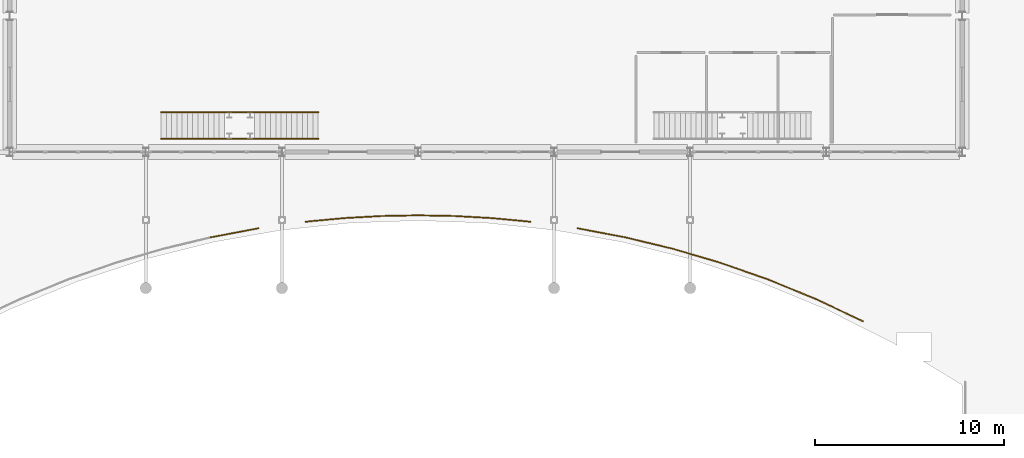
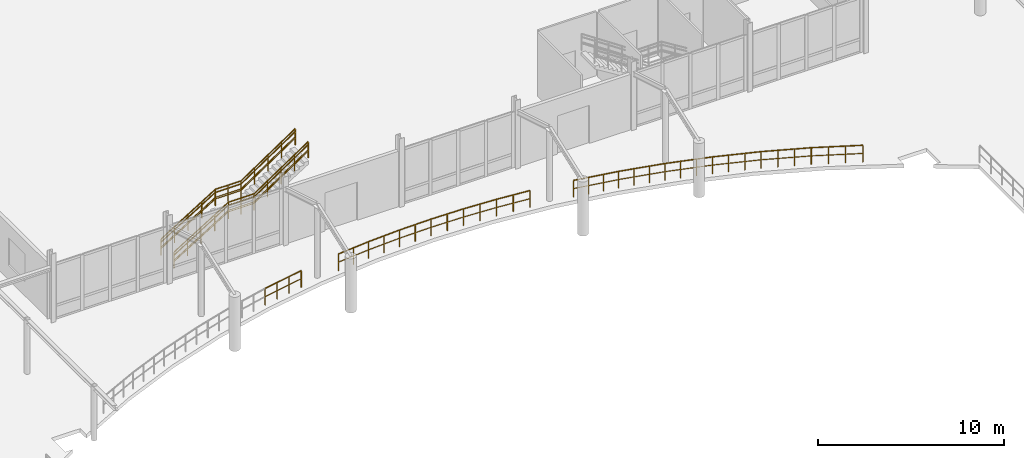
# One storey, part 132 of 139: 25 railings.
"""IFC4 building model written with IfcOpenShell, lengths in metres."""

from ifc_helpers import new_model, si_unit, direction, frame, origin, origin_2d, place, context, subcontext, project, spatial, rectangle, extrude, material, type_object, element, save


model = new_model("IFC4")

# Units and contexts
model_context = context("Model", 3, precision=1e-05, world=origin(), true_north=direction((0.0, 1.0)))
body_context = subcontext(model_context, "Body", "Model", "MODEL_VIEW")
ifc_project = project(units=[si_unit("LENGTHUNIT", "METRE"), si_unit("AREAUNIT", "SQUARE_METRE"), si_unit("VOLUMEUNIT", "CUBIC_METRE"), si_unit("PLANEANGLEUNIT", "RADIAN"), si_unit("MASSUNIT", "GRAM", prefix="KILO")], contexts=[model_context])

# Site, building, storey
site_placement = place(None, origin())
site = spatial("IfcSite", under=ifc_project, at=site_placement, CompositionType="ELEMENT")
building_placement = place(site_placement, origin())
building = spatial("IfcBuilding", under=site, at=building_placement, Name="Suanplinth Sawtooth Commons", CompositionType="ELEMENT")
storey_placement = place(building_placement, origin())
storey = spatial("IfcBuildingStorey", under=building, at=storey_placement, Name="L00", CompositionType="ELEMENT", Elevation=0.0)

# Railings
ifc_material_1 = material(Name="Powder-coated galvanized steel", Category="steel")
railing_type_1 = type_object("IfcRailingType", Name="GR-02", PredefinedType="BALUSTRADE", material=ifc_material_1)
railing_1_placement = place(storey_placement, frame((75.433349609375, 45.885986328125, 0.0)))
element("IfcRailing", 1, at=railing_1_placement, inside=storey, type_object=railing_type_1, Name="Forecourt Swept Rim Guardrail 1-6", PredefinedType="BALUSTRADE", context=body_context, shape_type="SweptSolid", body=[
    extrude(rectangle(XDim=0.048095703125, YDim=0.048095703125, at=origin_2d()), frame((0.0, 0.0, 1.09619140625), z_axis=(0.982555655663, 0.185968770295, 0.0), x_axis=(-0.185968770295, 0.982555655663, 0.0)), (0.0, 0.0, 1.0), 2.561279296875),
    extrude(rectangle(XDim=0.03369140625, YDim=0.03369140625, at=origin_2d()), frame((0.0, 0.0, 0.56005859375), z_axis=(0.982555655663, 0.185968770295, 0.0), x_axis=(-0.185968770295, 0.982555655663, 0.0)), (0.0, 0.0, 1.0), 2.561279296875),
    extrude(rectangle(XDim=0.0419921875, YDim=0.0419921875, at=origin_2d()), origin(), (0.0, 0.0, 1.0), 1.072021484375),
    extrude(rectangle(XDim=0.0419921875, YDim=0.0419921875, at=origin_2d()), frame((0.8388671875, 0.15869140625, 0.0)), (0.0, 0.0, 1.0), 1.072021484375),
    extrude(rectangle(XDim=0.0419921875, YDim=0.0419921875, at=origin_2d()), frame((1.677734375, 0.317626953125, 0.0)), (0.0, 0.0, 1.0), 1.072021484375),
    extrude(rectangle(XDim=0.0419921875, YDim=0.0419921875, at=origin_2d()), frame((2.5166015625, 0.476318359375, 0.0)), (0.0, 0.0, 1.0), 1.072021484375),
])
railing_2_placement = place(storey_placement, frame((80.449951171875, 46.710205078125, 0.0)))
element("IfcRailing", 2, at=railing_2_placement, inside=storey, type_object=railing_type_1, Name="Forecourt Swept Rim Guardrail 2-1", PredefinedType="BALUSTRADE", context=body_context, shape_type="SweptSolid", body=[
    extrude(rectangle(XDim=0.048095703125, YDim=0.048095703125, at=origin_2d()), frame((0.0, 0.0, 1.09619140625), z_axis=(0.995492167616, 0.094843788495, 0.0), x_axis=(-0.094843788495, 0.995492167616, 0.0)), (0.0, 0.0, 1.0), 1.992431640625),
    extrude(rectangle(XDim=0.03369140625, YDim=0.03369140625, at=origin_2d()), frame((0.0, 0.0, 0.56005859375), z_axis=(0.995492167616, 0.094843788495, 0.0), x_axis=(-0.094843788495, 0.995492167616, 0.0)), (0.0, 0.0, 1.0), 1.992431640625),
    extrude(rectangle(XDim=0.0419921875, YDim=0.0419921875, at=origin_2d()), origin(), (0.0, 0.0, 1.0), 1.072021484375),
    extrude(rectangle(XDim=0.0419921875, YDim=0.0419921875, at=origin_2d()), frame((0.99169921875, 0.094482421875, 0.0)), (0.0, 0.0, 1.0), 1.072021484375),
    extrude(rectangle(XDim=0.0419921875, YDim=0.0419921875, at=origin_2d()), frame((1.9833984375, 0.18896484375, 0.0)), (0.0, 0.0, 1.0), 1.072021484375),
])
railing_3_placement = place(storey_placement, frame((82.433349609375, 46.899169921875, 0.0)))
element("IfcRailing", 3, at=railing_3_placement, inside=storey, type_object=railing_type_1, Name="Forecourt Swept Rim Guardrail 2-2", PredefinedType="BALUSTRADE", context=body_context, shape_type="SweptSolid", body=[
    extrude(rectangle(XDim=0.048095703125, YDim=0.048095703125, at=origin_2d()), frame((0.0, 0.0, 1.09619140625), z_axis=(0.998379922568, 0.056899298886, 0.0), x_axis=(-0.056899298886, 0.998379922568, 0.0)), (0.0, 0.0, 1.0), 1.986572265625),
    extrude(rectangle(XDim=0.03369140625, YDim=0.03369140625, at=origin_2d()), frame((0.0, 0.0, 0.56005859375), z_axis=(0.998379922568, 0.056899298886, 0.0), x_axis=(-0.056899298886, 0.998379922568, 0.0)), (0.0, 0.0, 1.0), 1.986572265625),
    extrude(rectangle(XDim=0.0419921875, YDim=0.0419921875, at=origin_2d()), origin(), (0.0, 0.0, 1.0), 1.072021484375),
    extrude(rectangle(XDim=0.0419921875, YDim=0.0419921875, at=origin_2d()), frame((0.99169921875, 0.056640625, 0.0)), (0.0, 0.0, 1.0), 1.072021484375),
    extrude(rectangle(XDim=0.0419921875, YDim=0.0419921875, at=origin_2d()), frame((1.9833984375, 0.113037109375, 0.0)), (0.0, 0.0, 1.0), 1.072021484375),
])
railing_4_placement = place(storey_placement, frame((84.416748046875, 47.01220703125, 0.0)))
element("IfcRailing", 4, at=railing_4_placement, inside=storey, type_object=railing_type_1, Name="Forecourt Swept Rim Guardrail 2-3", PredefinedType="BALUSTRADE", context=body_context, shape_type="SweptSolid", body=[
    extrude(rectangle(XDim=0.048095703125, YDim=0.048095703125, at=origin_2d()), frame((0.0, 0.0, 1.09619140625), z_axis=(0.999817995588, 0.019078147152, 0.0), x_axis=(-0.019078147152, 0.999817995588, 0.0)), (0.0, 0.0, 1.0), 1.9833984375),
    extrude(rectangle(XDim=0.03369140625, YDim=0.03369140625, at=origin_2d()), frame((0.0, 0.0, 0.56005859375), z_axis=(0.999817995588, 0.019078147152, 0.0), x_axis=(-0.019078147152, 0.999817995588, 0.0)), (0.0, 0.0, 1.0), 1.9833984375),
    extrude(rectangle(XDim=0.0419921875, YDim=0.0419921875, at=origin_2d()), origin(), (0.0, 0.0, 1.0), 1.072021484375),
    extrude(rectangle(XDim=0.0419921875, YDim=0.0419921875, at=origin_2d()), frame((0.99169921875, 0.01904296875, 0.0)), (0.0, 0.0, 1.0), 1.072021484375),
    extrude(rectangle(XDim=0.0419921875, YDim=0.0419921875, at=origin_2d()), frame((1.983154296875, 0.037841796875, 0.0)), (0.0, 0.0, 1.0), 1.072021484375),
])
railing_5_placement = place(storey_placement, frame((86.39990234375, 47.050048828125, 0.0)))
element("IfcRailing", 5, at=railing_5_placement, inside=storey, type_object=railing_type_1, Name="Forecourt Swept Rim Guardrail 2-4", PredefinedType="BALUSTRADE", context=body_context, shape_type="SweptSolid", body=[
    extrude(rectangle(XDim=0.048095703125, YDim=0.048095703125, at=origin_2d()), frame((0.0, 0.0, 1.09619140625), z_axis=(0.999818040379, -0.019075799638, 0.0), x_axis=(0.019075799638, 0.999818040379, 0.0)), (0.0, 0.0, 1.0), 1.983642578125),
    extrude(rectangle(XDim=0.03369140625, YDim=0.03369140625, at=origin_2d()), frame((0.0, 0.0, 0.56005859375), z_axis=(0.999818040379, -0.019075799638, 0.0), x_axis=(0.019075799638, 0.999818040379, 0.0)), (0.0, 0.0, 1.0), 1.983642578125),
    extrude(rectangle(XDim=0.0419921875, YDim=0.0419921875, at=origin_2d()), origin(), (0.0, 0.0, 1.0), 1.072021484375),
    extrude(rectangle(XDim=0.0419921875, YDim=0.0419921875, at=origin_2d()), frame((0.99169921875, -0.01904296875, 0.0)), (0.0, 0.0, 1.0), 1.072021484375),
    extrude(rectangle(XDim=0.0419921875, YDim=0.0419921875, at=origin_2d()), frame((1.9833984375, -0.037841796875, 0.0)), (0.0, 0.0, 1.0), 1.072021484375),
])
railing_6_placement = place(storey_placement, frame((88.38330078125, 47.01220703125, 0.0)))
element("IfcRailing", 6, at=railing_6_placement, inside=storey, type_object=railing_type_1, Name="Forecourt Swept Rim Guardrail 2-5", PredefinedType="BALUSTRADE", context=body_context, shape_type="SweptSolid", body=[
    extrude(rectangle(XDim=0.048095703125, YDim=0.048095703125, at=origin_2d()), frame((0.0, 0.0, 1.09619140625), z_axis=(0.998379922568, -0.056899298886, 0.0), x_axis=(0.056899298886, 0.998379922568, 0.0)), (0.0, 0.0, 1.0), 1.986572265625),
    extrude(rectangle(XDim=0.03369140625, YDim=0.03369140625, at=origin_2d()), frame((0.0, 0.0, 0.56005859375), z_axis=(0.998379922568, -0.056899298886, 0.0), x_axis=(0.056899298886, 0.998379922568, 0.0)), (0.0, 0.0, 1.0), 1.986572265625),
    extrude(rectangle(XDim=0.0419921875, YDim=0.0419921875, at=origin_2d()), origin(), (0.0, 0.0, 1.0), 1.072021484375),
    extrude(rectangle(XDim=0.0419921875, YDim=0.0419921875, at=origin_2d()), frame((0.99169921875, -0.056640625, 0.0)), (0.0, 0.0, 1.0), 1.072021484375),
    extrude(rectangle(XDim=0.0419921875, YDim=0.0419921875, at=origin_2d()), frame((1.9833984375, -0.113037109375, 0.0)), (0.0, 0.0, 1.0), 1.072021484375),
])
railing_7_placement = place(storey_placement, frame((90.36669921875, 46.899169921875, 0.0)))
element("IfcRailing", 7, at=railing_7_placement, inside=storey, type_object=railing_type_1, Name="Forecourt Swept Rim Guardrail 2-6", PredefinedType="BALUSTRADE", context=body_context, shape_type="SweptSolid", body=[
    extrude(rectangle(XDim=0.048095703125, YDim=0.048095703125, at=origin_2d()), frame((0.0, 0.0, 1.09619140625), z_axis=(0.995492167616, -0.094843788495, 0.0), x_axis=(0.094843788495, 0.995492167616, 0.0)), (0.0, 0.0, 1.0), 1.992431640625),
    extrude(rectangle(XDim=0.03369140625, YDim=0.03369140625, at=origin_2d()), frame((0.0, 0.0, 0.56005859375), z_axis=(0.995492167616, -0.094843788495, 0.0), x_axis=(0.094843788495, 0.995492167616, 0.0)), (0.0, 0.0, 1.0), 1.992431640625),
    extrude(rectangle(XDim=0.0419921875, YDim=0.0419921875, at=origin_2d()), origin(), (0.0, 0.0, 1.0), 1.072021484375),
    extrude(rectangle(XDim=0.0419921875, YDim=0.0419921875, at=origin_2d()), frame((0.99169921875, -0.094482421875, 0.0)), (0.0, 0.0, 1.0), 1.072021484375),
    extrude(rectangle(XDim=0.0419921875, YDim=0.0419921875, at=origin_2d()), frame((1.9833984375, -0.18896484375, 0.0)), (0.0, 0.0, 1.0), 1.072021484375),
])
railing_8_placement = place(storey_placement, frame((94.85009765625, 46.3623046875, 0.0)))
element("IfcRailing", 8, at=railing_8_placement, inside=storey, type_object=railing_type_1, Name="Forecourt Swept Rim Guardrail 3-1", PredefinedType="BALUSTRADE", context=body_context, shape_type="SweptSolid", body=[
    extrude(rectangle(XDim=0.048095703125, YDim=0.048095703125, at=origin_2d()), frame((0.0, 0.0, 1.09619140625), z_axis=(0.982555655663, -0.185968770295, 0.0), x_axis=(0.185968770295, 0.982555655663, 0.0)), (0.0, 0.0, 1.0), 2.561279296875),
    extrude(rectangle(XDim=0.03369140625, YDim=0.03369140625, at=origin_2d()), frame((0.0, 0.0, 0.56005859375), z_axis=(0.982555655663, -0.185968770295, 0.0), x_axis=(0.185968770295, 0.982555655663, 0.0)), (0.0, 0.0, 1.0), 2.561279296875),
    extrude(rectangle(XDim=0.0419921875, YDim=0.0419921875, at=origin_2d()), origin(), (0.0, 0.0, 1.0), 1.072021484375),
    extrude(rectangle(XDim=0.0419921875, YDim=0.0419921875, at=origin_2d()), frame((0.8388671875, -0.15869140625, 0.0)), (0.0, 0.0, 1.0), 1.072021484375),
    extrude(rectangle(XDim=0.0419921875, YDim=0.0419921875, at=origin_2d()), frame((1.677734375, -0.317626953125, 0.0)), (0.0, 0.0, 1.0), 1.072021484375),
    extrude(rectangle(XDim=0.0419921875, YDim=0.0419921875, at=origin_2d()), frame((2.5166015625, -0.476318359375, 0.0)), (0.0, 0.0, 1.0), 1.072021484375),
])
railing_9_placement = place(storey_placement, frame((97.36669921875, 45.885986328125, 0.0)))
element("IfcRailing", 9, at=railing_9_placement, inside=storey, type_object=railing_type_1, Name="Forecourt Swept Rim Guardrail 3-2", PredefinedType="BALUSTRADE", context=body_context, shape_type="SweptSolid", body=[
    extrude(rectangle(XDim=0.048095703125, YDim=0.048095703125, at=origin_2d()), frame((0.0, 0.0, 1.09619140625), z_axis=(0.972235559472, -0.23400430957, 0.0), x_axis=(0.23400430957, 0.972235559472, 0.0)), (0.0, 0.0, 1.0), 2.58837890625),
    extrude(rectangle(XDim=0.03369140625, YDim=0.03369140625, at=origin_2d()), frame((0.0, 0.0, 0.56005859375), z_axis=(0.972235559472, -0.23400430957, 0.0), x_axis=(0.23400430957, 0.972235559472, 0.0)), (0.0, 0.0, 1.0), 2.58837890625),
    extrude(rectangle(XDim=0.0419921875, YDim=0.0419921875, at=origin_2d()), origin(), (0.0, 0.0, 1.0), 1.072021484375),
    extrude(rectangle(XDim=0.0419921875, YDim=0.0419921875, at=origin_2d()), frame((0.8388671875, -0.201904296875, 0.0)), (0.0, 0.0, 1.0), 1.072021484375),
    extrude(rectangle(XDim=0.0419921875, YDim=0.0419921875, at=origin_2d()), frame((1.677734375, -0.40380859375, 0.0)), (0.0, 0.0, 1.0), 1.072021484375),
    extrude(rectangle(XDim=0.0419921875, YDim=0.0419921875, at=origin_2d()), frame((2.5166015625, -0.605712890625, 0.0)), (0.0, 0.0, 1.0), 1.072021484375),
])
railing_10_placement = place(storey_placement, frame((99.88330078125, 45.2802734375, 0.0)))
element("IfcRailing", 10, at=railing_10_placement, inside=storey, type_object=railing_type_1, Name="Forecourt Swept Rim Guardrail 3-3", PredefinedType="BALUSTRADE", context=body_context, shape_type="SweptSolid", body=[
    extrude(rectangle(XDim=0.048095703125, YDim=0.048095703125, at=origin_2d()), frame((0.0, 0.0, 1.09619140625), z_axis=(0.959334374614, -0.28227213409, 0.0), x_axis=(0.28227213409, 0.959334374614, 0.0)), (0.0, 0.0, 1.0), 2.623291015625),
    extrude(rectangle(XDim=0.03369140625, YDim=0.03369140625, at=origin_2d()), frame((0.0, 0.0, 0.56005859375), z_axis=(0.959334374614, -0.28227213409, 0.0), x_axis=(0.28227213409, 0.959334374614, 0.0)), (0.0, 0.0, 1.0), 2.623291015625),
    extrude(rectangle(XDim=0.0419921875, YDim=0.0419921875, at=origin_2d()), origin(), (0.0, 0.0, 1.0), 1.072021484375),
    extrude(rectangle(XDim=0.0419921875, YDim=0.0419921875, at=origin_2d()), frame((0.8388671875, -0.246826171875, 0.0)), (0.0, 0.0, 1.0), 1.072021484375),
    extrude(rectangle(XDim=0.0419921875, YDim=0.0419921875, at=origin_2d()), frame((1.677734375, -0.49365234375, 0.0)), (0.0, 0.0, 1.0), 1.072021484375),
    extrude(rectangle(XDim=0.0419921875, YDim=0.0419921875, at=origin_2d()), frame((2.5166015625, -0.740478515625, 0.0)), (0.0, 0.0, 1.0), 1.072021484375),
])
railing_11_placement = place(storey_placement, frame((102.39990234375, 44.539794921875, 0.0)))
element("IfcRailing", 11, at=railing_11_placement, inside=storey, type_object=railing_type_1, Name="Forecourt Swept Rim Guardrail 3-4", PredefinedType="BALUSTRADE", context=body_context, shape_type="SweptSolid", body=[
    extrude(rectangle(XDim=0.048095703125, YDim=0.048095703125, at=origin_2d()), frame((0.0, 0.0, 1.09619140625), z_axis=(0.94386263847, -0.330338189892, 0.0), x_axis=(0.330338189892, 0.94386263847, 0.0)), (0.0, 0.0, 1.0), 2.66650390625),
    extrude(rectangle(XDim=0.03369140625, YDim=0.03369140625, at=origin_2d()), frame((0.0, 0.0, 0.56005859375), z_axis=(0.94386263847, -0.330338189892, 0.0), x_axis=(0.330338189892, 0.94386263847, 0.0)), (0.0, 0.0, 1.0), 2.66650390625),
    extrude(rectangle(XDim=0.0419921875, YDim=0.0419921875, at=origin_2d()), origin(), (0.0, 0.0, 1.0), 1.072021484375),
    extrude(rectangle(XDim=0.0419921875, YDim=0.0419921875, at=origin_2d()), frame((0.8388671875, -0.293701171875, 0.0)), (0.0, 0.0, 1.0), 1.072021484375),
    extrude(rectangle(XDim=0.0419921875, YDim=0.0419921875, at=origin_2d()), frame((1.677978515625, -0.587158203125, 0.0)), (0.0, 0.0, 1.0), 1.072021484375),
    extrude(rectangle(XDim=0.0419921875, YDim=0.0419921875, at=origin_2d()), frame((2.516845703125, -0.880859375, 0.0)), (0.0, 0.0, 1.0), 1.072021484375),
])
railing_12_placement = place(storey_placement, frame((104.916748046875, 43.658935546875, 0.0)))
element("IfcRailing", 12, at=railing_12_placement, inside=storey, type_object=railing_type_1, Name="Forecourt Swept Rim Guardrail 3-5", PredefinedType="BALUSTRADE", context=body_context, shape_type="SweptSolid", body=[
    extrude(rectangle(XDim=0.048095703125, YDim=0.048095703125, at=origin_2d()), frame((0.0, 0.0, 1.09619140625), z_axis=(0.925544095648, -0.37863983812, 0.0), x_axis=(0.37863983812, 0.925544095648, 0.0)), (0.0, 0.0, 1.0), 2.718994140625),
    extrude(rectangle(XDim=0.03369140625, YDim=0.03369140625, at=origin_2d()), frame((0.0, 0.0, 0.56005859375), z_axis=(0.925544095648, -0.37863983812, 0.0), x_axis=(0.37863983812, 0.925544095648, 0.0)), (0.0, 0.0, 1.0), 2.718994140625),
    extrude(rectangle(XDim=0.0419921875, YDim=0.0419921875, at=origin_2d()), origin(), (0.0, 0.0, 1.0), 1.072021484375),
    extrude(rectangle(XDim=0.0419921875, YDim=0.0419921875, at=origin_2d()), frame((0.8388671875, -0.34326171875, 0.0)), (0.0, 0.0, 1.0), 1.072021484375),
    extrude(rectangle(XDim=0.0419921875, YDim=0.0419921875, at=origin_2d()), frame((1.677734375, -0.686279296875, 0.0)), (0.0, 0.0, 1.0), 1.072021484375),
    extrude(rectangle(XDim=0.0419921875, YDim=0.0419921875, at=origin_2d()), frame((2.5166015625, -1.029541015625, 0.0)), (0.0, 0.0, 1.0), 1.072021484375),
])
railing_13_placement = place(storey_placement, frame((107.433349609375, 42.62939453125, 0.0)))
element("IfcRailing", 13, at=railing_13_placement, inside=storey, type_object=railing_type_1, Name="Forecourt Swept Rim Guardrail 3-6", PredefinedType="BALUSTRADE", context=body_context, shape_type="SweptSolid", body=[
    extrude(rectangle(XDim=0.048095703125, YDim=0.048095703125, at=origin_2d()), frame((0.0, 0.0, 1.09619140625), z_axis=(0.904372821381, -0.426743248273, 0.0), x_axis=(0.426743248273, 0.904372821381, 0.0)), (0.0, 0.0, 1.0), 2.78271484375),
    extrude(rectangle(XDim=0.03369140625, YDim=0.03369140625, at=origin_2d()), frame((0.0, 0.0, 0.56005859375), z_axis=(0.904372821381, -0.426743248273, 0.0), x_axis=(0.426743248273, 0.904372821381, 0.0)), (0.0, 0.0, 1.0), 2.78271484375),
    extrude(rectangle(XDim=0.0419921875, YDim=0.0419921875, at=origin_2d()), origin(), (0.0, 0.0, 1.0), 1.072021484375),
    extrude(rectangle(XDim=0.0419921875, YDim=0.0419921875, at=origin_2d()), frame((0.8388671875, -0.395751953125, 0.0)), (0.0, 0.0, 1.0), 1.072021484375),
    extrude(rectangle(XDim=0.0419921875, YDim=0.0419921875, at=origin_2d()), frame((1.677734375, -0.791748046875, 0.0)), (0.0, 0.0, 1.0), 1.072021484375),
    extrude(rectangle(XDim=0.0419921875, YDim=0.0419921875, at=origin_2d()), frame((2.5166015625, -1.1875, 0.0)), (0.0, 0.0, 1.0), 1.072021484375),
])
ifc_material_2 = material(Name="Stainless steel Grade 304", Category="steel")
railing_type_2 = type_object("IfcRailingType", Name="GR-04", PredefinedType="GUARDRAIL", material=ifc_material_2)
railing_14_placement = place(storey_placement, frame((72.800048828125, 51.10009765625, 0.173095703125)))
element("IfcRailing", 14, at=railing_14_placement, inside=storey, type_object=railing_type_2, Name="Community Hall West Gallery Stair Guard 1-1", PredefinedType="GUARDRAIL", context=body_context, shape_type="SweptSolid", body=[
    extrude(rectangle(XDim=0.048095703125, YDim=0.048095703125, at=origin_2d()), frame((0.0, 0.0, 1.076171875), z_axis=(0.850606129759, 0.0, 0.525803396734), x_axis=(0.0, 1.0, 0.0)), (0.0, 0.0, 1.0), 3.949951171875),
    extrude(rectangle(XDim=0.03369140625, YDim=0.03369140625, at=origin_2d()), frame((0.0, 0.0, 0.550048828125), z_axis=(0.850606129759, 0.0, 0.525803396734), x_axis=(0.0, 1.0, 0.0)), (0.0, 0.0, 1.0), 3.949951171875),
    extrude(rectangle(XDim=0.0419921875, YDim=0.0419921875, at=origin_2d()), origin(), (0.0, 0.0, 1.0), 1.052001953125),
    extrude(rectangle(XDim=0.0419921875, YDim=0.0419921875, at=origin_2d()), frame((0.83984375, 0.0, 0.519287109375)), (0.0, 0.0, 1.0), 1.052001953125),
    extrude(rectangle(XDim=0.0419921875, YDim=0.0419921875, at=origin_2d()), frame((1.679931640625, 0.0, 1.03857421875)), (0.0, 0.0, 1.0), 1.052001953125),
    extrude(rectangle(XDim=0.0419921875, YDim=0.0419921875, at=origin_2d()), frame((2.52001953125, 0.0, 1.5576171875)), (0.0, 0.0, 1.0), 1.052001953125),
    extrude(rectangle(XDim=0.0419921875, YDim=0.0419921875, at=origin_2d()), frame((3.35986328125, 0.0, 2.076904296875)), (0.0, 0.0, 1.0), 1.052001953125),
])
railing_15_placement = place(storey_placement, frame((76.159912109375, 51.10009765625, 2.25)))
element("IfcRailing", 15, at=railing_15_placement, inside=storey, type_object=railing_type_2, Name="Community Hall West Gallery Stair Guard 1-2", PredefinedType="GUARDRAIL", context=body_context, shape_type="SweptSolid", body=[
    extrude(rectangle(XDim=0.048095703125, YDim=0.048095703125, at=origin_2d()), frame((0.0, 0.0, 1.076171875), z_axis=(1.0, 0.0, 0.0), x_axis=(0.0, 1.0, 0.0)), (0.0, 0.0, 1.0), 1.60009765625),
    extrude(rectangle(XDim=0.03369140625, YDim=0.03369140625, at=origin_2d()), frame((0.0, 0.0, 0.550048828125), z_axis=(1.0, 0.0, 0.0), x_axis=(0.0, 1.0, 0.0)), (0.0, 0.0, 1.0), 1.60009765625),
    extrude(rectangle(XDim=0.0419921875, YDim=0.0419921875, at=origin_2d()), origin(), (0.0, 0.0, 1.0), 1.052001953125),
    extrude(rectangle(XDim=0.0419921875, YDim=0.0419921875, at=origin_2d()), frame((0.800048828125, 0.0, 0.0)), (0.0, 0.0, 1.0), 1.052001953125),
    extrude(rectangle(XDim=0.0419921875, YDim=0.0419921875, at=origin_2d()), frame((1.60009765625, 0.0, 0.0)), (0.0, 0.0, 1.0), 1.052001953125),
])
railing_16_placement = place(storey_placement, frame((77.760009765625, 51.10009765625, 2.25)))
element("IfcRailing", 16, at=railing_16_placement, inside=storey, type_object=railing_type_2, Name="Community Hall West Gallery Stair Guard 1-3", PredefinedType="GUARDRAIL", context=body_context, shape_type="SweptSolid", body=[
    extrude(rectangle(XDim=0.048095703125, YDim=0.048095703125, at=origin_2d()), frame((0.0, 0.0, 1.076171875), z_axis=(0.830915400975, 0.0, 0.556398774641), x_axis=(0.0, 1.0, 0.0)), (0.0, 0.0, 1.0), 4.0439453125),
    extrude(rectangle(XDim=0.03369140625, YDim=0.03369140625, at=origin_2d()), frame((0.0, 0.0, 0.550048828125), z_axis=(0.830915400975, 0.0, 0.556398774641), x_axis=(0.0, 1.0, 0.0)), (0.0, 0.0, 1.0), 4.0439453125),
    extrude(rectangle(XDim=0.0419921875, YDim=0.0419921875, at=origin_2d()), origin(), (0.0, 0.0, 1.0), 1.052001953125),
    extrude(rectangle(XDim=0.0419921875, YDim=0.0419921875, at=origin_2d()), frame((0.840087890625, 0.0, 0.5625)), (0.0, 0.0, 1.0), 1.052001953125),
    extrude(rectangle(XDim=0.0419921875, YDim=0.0419921875, at=origin_2d()), frame((1.68017578125, 0.0, 1.125)), (0.0, 0.0, 1.0), 1.052001953125),
    extrude(rectangle(XDim=0.0419921875, YDim=0.0419921875, at=origin_2d()), frame((2.52001953125, 0.0, 1.6875)), (0.0, 0.0, 1.0), 1.052001953125),
    extrude(rectangle(XDim=0.0419921875, YDim=0.0419921875, at=origin_2d()), frame((3.360107421875, 0.0, 2.25)), (0.0, 0.0, 1.0), 1.052001953125),
])
railing_17_placement = place(storey_placement, frame((72.800048828125, 52.5, 0.173095703125)))
element("IfcRailing", 17, at=railing_17_placement, inside=storey, type_object=railing_type_2, Name="Community Hall West Gallery Stair Guard 2-1", PredefinedType="GUARDRAIL", context=body_context, shape_type="SweptSolid", body=[
    extrude(rectangle(XDim=0.048095703125, YDim=0.048095703125, at=origin_2d()), frame((0.0, 0.0, 1.076171875), z_axis=(0.850606129759, 0.0, 0.525803396734), x_axis=(0.0, 1.0, 0.0)), (0.0, 0.0, 1.0), 3.949951171875),
    extrude(rectangle(XDim=0.03369140625, YDim=0.03369140625, at=origin_2d()), frame((0.0, 0.0, 0.550048828125), z_axis=(0.850606129759, 0.0, 0.525803396734), x_axis=(0.0, 1.0, 0.0)), (0.0, 0.0, 1.0), 3.949951171875),
    extrude(rectangle(XDim=0.0419921875, YDim=0.0419921875, at=origin_2d()), origin(), (0.0, 0.0, 1.0), 1.052001953125),
    extrude(rectangle(XDim=0.0419921875, YDim=0.0419921875, at=origin_2d()), frame((0.83984375, 0.0, 0.519287109375)), (0.0, 0.0, 1.0), 1.052001953125),
    extrude(rectangle(XDim=0.0419921875, YDim=0.0419921875, at=origin_2d()), frame((1.679931640625, 0.0, 1.03857421875)), (0.0, 0.0, 1.0), 1.052001953125),
    extrude(rectangle(XDim=0.0419921875, YDim=0.0419921875, at=origin_2d()), frame((2.52001953125, 0.0, 1.5576171875)), (0.0, 0.0, 1.0), 1.052001953125),
    extrude(rectangle(XDim=0.0419921875, YDim=0.0419921875, at=origin_2d()), frame((3.35986328125, 0.0, 2.076904296875)), (0.0, 0.0, 1.0), 1.052001953125),
])
railing_18_placement = place(storey_placement, frame((76.159912109375, 52.5, 2.25)))
element("IfcRailing", 18, at=railing_18_placement, inside=storey, type_object=railing_type_2, Name="Community Hall West Gallery Stair Guard 2-2", PredefinedType="GUARDRAIL", context=body_context, shape_type="SweptSolid", body=[
    extrude(rectangle(XDim=0.048095703125, YDim=0.048095703125, at=origin_2d()), frame((0.0, 0.0, 1.076171875), z_axis=(1.0, 0.0, 0.0), x_axis=(0.0, 1.0, 0.0)), (0.0, 0.0, 1.0), 1.60009765625),
    extrude(rectangle(XDim=0.03369140625, YDim=0.03369140625, at=origin_2d()), frame((0.0, 0.0, 0.550048828125), z_axis=(1.0, 0.0, 0.0), x_axis=(0.0, 1.0, 0.0)), (0.0, 0.0, 1.0), 1.60009765625),
    extrude(rectangle(XDim=0.0419921875, YDim=0.0419921875, at=origin_2d()), origin(), (0.0, 0.0, 1.0), 1.052001953125),
    extrude(rectangle(XDim=0.0419921875, YDim=0.0419921875, at=origin_2d()), frame((0.800048828125, 0.0, 0.0)), (0.0, 0.0, 1.0), 1.052001953125),
    extrude(rectangle(XDim=0.0419921875, YDim=0.0419921875, at=origin_2d()), frame((1.60009765625, 0.0, 0.0)), (0.0, 0.0, 1.0), 1.052001953125),
])
railing_19_placement = place(storey_placement, frame((77.760009765625, 52.5, 2.25)))
element("IfcRailing", 19, at=railing_19_placement, inside=storey, type_object=railing_type_2, Name="Community Hall West Gallery Stair Guard 2-3", PredefinedType="GUARDRAIL", context=body_context, shape_type="SweptSolid", body=[
    extrude(rectangle(XDim=0.048095703125, YDim=0.048095703125, at=origin_2d()), frame((0.0, 0.0, 1.076171875), z_axis=(0.830915400975, 0.0, 0.556398774641), x_axis=(0.0, 1.0, 0.0)), (0.0, 0.0, 1.0), 4.0439453125),
    extrude(rectangle(XDim=0.03369140625, YDim=0.03369140625, at=origin_2d()), frame((0.0, 0.0, 0.550048828125), z_axis=(0.830915400975, 0.0, 0.556398774641), x_axis=(0.0, 1.0, 0.0)), (0.0, 0.0, 1.0), 4.0439453125),
    extrude(rectangle(XDim=0.0419921875, YDim=0.0419921875, at=origin_2d()), origin(), (0.0, 0.0, 1.0), 1.052001953125),
    extrude(rectangle(XDim=0.0419921875, YDim=0.0419921875, at=origin_2d()), frame((0.840087890625, 0.0, 0.5625)), (0.0, 0.0, 1.0), 1.052001953125),
    extrude(rectangle(XDim=0.0419921875, YDim=0.0419921875, at=origin_2d()), frame((1.68017578125, 0.0, 1.125)), (0.0, 0.0, 1.0), 1.052001953125),
    extrude(rectangle(XDim=0.0419921875, YDim=0.0419921875, at=origin_2d()), frame((2.52001953125, 0.0, 1.6875)), (0.0, 0.0, 1.0), 1.052001953125),
    extrude(rectangle(XDim=0.0419921875, YDim=0.0419921875, at=origin_2d()), frame((3.360107421875, 0.0, 2.25)), (0.0, 0.0, 1.0), 1.052001953125),
])
railing_type_3 = type_object("IfcRailingType", Name="HR-01", PredefinedType="HANDRAIL", material=ifc_material_2)
railing_20_placement = place(storey_placement, frame((72.800048828125, 51.10009765625, 0.173095703125)))
element("IfcRailing", 20, at=railing_20_placement, inside=storey, type_object=railing_type_3, Name="Community Hall West Gallery Stair Handrail 1-1", PredefinedType="HANDRAIL", context=body_context, shape_type="SweptSolid", body=[
    extrude(rectangle(XDim=0.048095703125, YDim=0.048095703125, at=origin_2d()), frame((0.0, 0.0, 0.8759765625), z_axis=(0.850606129759, 0.0, 0.525803396734), x_axis=(0.0, 1.0, 0.0)), (0.0, 0.0, 1.0), 3.949951171875),
    extrude(rectangle(XDim=0.03369140625, YDim=0.03369140625, at=origin_2d()), frame((0.0, 0.0, 0.449951171875), z_axis=(0.850606129759, 0.0, 0.525803396734), x_axis=(0.0, 1.0, 0.0)), (0.0, 0.0, 1.0), 3.949951171875),
    extrude(rectangle(XDim=0.0419921875, YDim=0.0419921875, at=origin_2d()), origin(), (0.0, 0.0, 1.0), 0.851806640625),
    extrude(rectangle(XDim=0.0419921875, YDim=0.0419921875, at=origin_2d()), frame((0.83984375, 0.0, 0.519287109375)), (0.0, 0.0, 1.0), 0.851806640625),
    extrude(rectangle(XDim=0.0419921875, YDim=0.0419921875, at=origin_2d()), frame((1.679931640625, 0.0, 1.03857421875)), (0.0, 0.0, 1.0), 0.851806640625),
    extrude(rectangle(XDim=0.0419921875, YDim=0.0419921875, at=origin_2d()), frame((2.52001953125, 0.0, 1.5576171875)), (0.0, 0.0, 1.0), 0.851806640625),
    extrude(rectangle(XDim=0.0419921875, YDim=0.0419921875, at=origin_2d()), frame((3.35986328125, 0.0, 2.076904296875)), (0.0, 0.0, 1.0), 0.851806640625),
])
railing_21_placement = place(storey_placement, frame((76.159912109375, 51.10009765625, 2.25)))
element("IfcRailing", 21, at=railing_21_placement, inside=storey, type_object=railing_type_3, Name="Community Hall West Gallery Stair Handrail 1-2", PredefinedType="HANDRAIL", context=body_context, shape_type="SweptSolid", body=[
    extrude(rectangle(XDim=0.048095703125, YDim=0.048095703125, at=origin_2d()), frame((0.0, 0.0, 0.8759765625), z_axis=(1.0, 0.0, 0.0), x_axis=(0.0, 1.0, 0.0)), (0.0, 0.0, 1.0), 1.60009765625),
    extrude(rectangle(XDim=0.03369140625, YDim=0.03369140625, at=origin_2d()), frame((0.0, 0.0, 0.449951171875), z_axis=(1.0, 0.0, 0.0), x_axis=(0.0, 1.0, 0.0)), (0.0, 0.0, 1.0), 1.60009765625),
    extrude(rectangle(XDim=0.0419921875, YDim=0.0419921875, at=origin_2d()), origin(), (0.0, 0.0, 1.0), 0.851806640625),
    extrude(rectangle(XDim=0.0419921875, YDim=0.0419921875, at=origin_2d()), frame((0.800048828125, 0.0, 0.0)), (0.0, 0.0, 1.0), 0.851806640625),
    extrude(rectangle(XDim=0.0419921875, YDim=0.0419921875, at=origin_2d()), frame((1.60009765625, 0.0, 0.0)), (0.0, 0.0, 1.0), 0.851806640625),
])
railing_22_placement = place(storey_placement, frame((77.760009765625, 51.10009765625, 2.25)))
element("IfcRailing", 22, at=railing_22_placement, inside=storey, type_object=railing_type_3, Name="Community Hall West Gallery Stair Handrail 1-3", PredefinedType="HANDRAIL", context=body_context, shape_type="SweptSolid", body=[
    extrude(rectangle(XDim=0.048095703125, YDim=0.048095703125, at=origin_2d()), frame((0.0, 0.0, 0.8759765625), z_axis=(0.830915400975, 0.0, 0.556398774641), x_axis=(0.0, 1.0, 0.0)), (0.0, 0.0, 1.0), 4.0439453125),
    extrude(rectangle(XDim=0.03369140625, YDim=0.03369140625, at=origin_2d()), frame((0.0, 0.0, 0.449951171875), z_axis=(0.830915400975, 0.0, 0.556398774641), x_axis=(0.0, 1.0, 0.0)), (0.0, 0.0, 1.0), 4.0439453125),
    extrude(rectangle(XDim=0.0419921875, YDim=0.0419921875, at=origin_2d()), origin(), (0.0, 0.0, 1.0), 0.851806640625),
    extrude(rectangle(XDim=0.0419921875, YDim=0.0419921875, at=origin_2d()), frame((0.840087890625, 0.0, 0.5625)), (0.0, 0.0, 1.0), 0.851806640625),
    extrude(rectangle(XDim=0.0419921875, YDim=0.0419921875, at=origin_2d()), frame((1.68017578125, 0.0, 1.125)), (0.0, 0.0, 1.0), 0.851806640625),
    extrude(rectangle(XDim=0.0419921875, YDim=0.0419921875, at=origin_2d()), frame((2.52001953125, 0.0, 1.6875)), (0.0, 0.0, 1.0), 0.851806640625),
    extrude(rectangle(XDim=0.0419921875, YDim=0.0419921875, at=origin_2d()), frame((3.360107421875, 0.0, 2.25)), (0.0, 0.0, 1.0), 0.851806640625),
])
railing_23_placement = place(storey_placement, frame((72.800048828125, 52.5, 0.173095703125)))
element("IfcRailing", 23, at=railing_23_placement, inside=storey, type_object=railing_type_3, Name="Community Hall West Gallery Stair Handrail 2-1", PredefinedType="HANDRAIL", context=body_context, shape_type="SweptSolid", body=[
    extrude(rectangle(XDim=0.048095703125, YDim=0.048095703125, at=origin_2d()), frame((0.0, 0.0, 0.8759765625), z_axis=(0.850606129759, 0.0, 0.525803396734), x_axis=(0.0, 1.0, 0.0)), (0.0, 0.0, 1.0), 3.949951171875),
    extrude(rectangle(XDim=0.03369140625, YDim=0.03369140625, at=origin_2d()), frame((0.0, 0.0, 0.449951171875), z_axis=(0.850606129759, 0.0, 0.525803396734), x_axis=(0.0, 1.0, 0.0)), (0.0, 0.0, 1.0), 3.949951171875),
    extrude(rectangle(XDim=0.0419921875, YDim=0.0419921875, at=origin_2d()), origin(), (0.0, 0.0, 1.0), 0.851806640625),
    extrude(rectangle(XDim=0.0419921875, YDim=0.0419921875, at=origin_2d()), frame((0.83984375, 0.0, 0.519287109375)), (0.0, 0.0, 1.0), 0.851806640625),
    extrude(rectangle(XDim=0.0419921875, YDim=0.0419921875, at=origin_2d()), frame((1.679931640625, 0.0, 1.03857421875)), (0.0, 0.0, 1.0), 0.851806640625),
    extrude(rectangle(XDim=0.0419921875, YDim=0.0419921875, at=origin_2d()), frame((2.52001953125, 0.0, 1.5576171875)), (0.0, 0.0, 1.0), 0.851806640625),
    extrude(rectangle(XDim=0.0419921875, YDim=0.0419921875, at=origin_2d()), frame((3.35986328125, 0.0, 2.076904296875)), (0.0, 0.0, 1.0), 0.851806640625),
])
railing_24_placement = place(storey_placement, frame((76.159912109375, 52.5, 2.25)))
element("IfcRailing", 24, at=railing_24_placement, inside=storey, type_object=railing_type_3, Name="Community Hall West Gallery Stair Handrail 2-2", PredefinedType="HANDRAIL", context=body_context, shape_type="SweptSolid", body=[
    extrude(rectangle(XDim=0.048095703125, YDim=0.048095703125, at=origin_2d()), frame((0.0, 0.0, 0.8759765625), z_axis=(1.0, 0.0, 0.0), x_axis=(0.0, 1.0, 0.0)), (0.0, 0.0, 1.0), 1.60009765625),
    extrude(rectangle(XDim=0.03369140625, YDim=0.03369140625, at=origin_2d()), frame((0.0, 0.0, 0.449951171875), z_axis=(1.0, 0.0, 0.0), x_axis=(0.0, 1.0, 0.0)), (0.0, 0.0, 1.0), 1.60009765625),
    extrude(rectangle(XDim=0.0419921875, YDim=0.0419921875, at=origin_2d()), origin(), (0.0, 0.0, 1.0), 0.851806640625),
    extrude(rectangle(XDim=0.0419921875, YDim=0.0419921875, at=origin_2d()), frame((0.800048828125, 0.0, 0.0)), (0.0, 0.0, 1.0), 0.851806640625),
    extrude(rectangle(XDim=0.0419921875, YDim=0.0419921875, at=origin_2d()), frame((1.60009765625, 0.0, 0.0)), (0.0, 0.0, 1.0), 0.851806640625),
])
railing_25_placement = place(storey_placement, frame((77.760009765625, 52.5, 2.25)))
element("IfcRailing", 25, at=railing_25_placement, inside=storey, type_object=railing_type_3, Name="Community Hall West Gallery Stair Handrail 2-3", PredefinedType="HANDRAIL", context=body_context, shape_type="SweptSolid", body=[
    extrude(rectangle(XDim=0.048095703125, YDim=0.048095703125, at=origin_2d()), frame((0.0, 0.0, 0.8759765625), z_axis=(0.830915400975, 0.0, 0.556398774641), x_axis=(0.0, 1.0, 0.0)), (0.0, 0.0, 1.0), 4.0439453125),
    extrude(rectangle(XDim=0.03369140625, YDim=0.03369140625, at=origin_2d()), frame((0.0, 0.0, 0.449951171875), z_axis=(0.830915400975, 0.0, 0.556398774641), x_axis=(0.0, 1.0, 0.0)), (0.0, 0.0, 1.0), 4.0439453125),
    extrude(rectangle(XDim=0.0419921875, YDim=0.0419921875, at=origin_2d()), origin(), (0.0, 0.0, 1.0), 0.851806640625),
    extrude(rectangle(XDim=0.0419921875, YDim=0.0419921875, at=origin_2d()), frame((0.840087890625, 0.0, 0.5625)), (0.0, 0.0, 1.0), 0.851806640625),
    extrude(rectangle(XDim=0.0419921875, YDim=0.0419921875, at=origin_2d()), frame((1.68017578125, 0.0, 1.125)), (0.0, 0.0, 1.0), 0.851806640625),
    extrude(rectangle(XDim=0.0419921875, YDim=0.0419921875, at=origin_2d()), frame((2.52001953125, 0.0, 1.6875)), (0.0, 0.0, 1.0), 0.851806640625),
    extrude(rectangle(XDim=0.0419921875, YDim=0.0419921875, at=origin_2d()), frame((3.360107421875, 0.0, 2.25)), (0.0, 0.0, 1.0), 0.851806640625),
])

save(model, "model.ifc")
